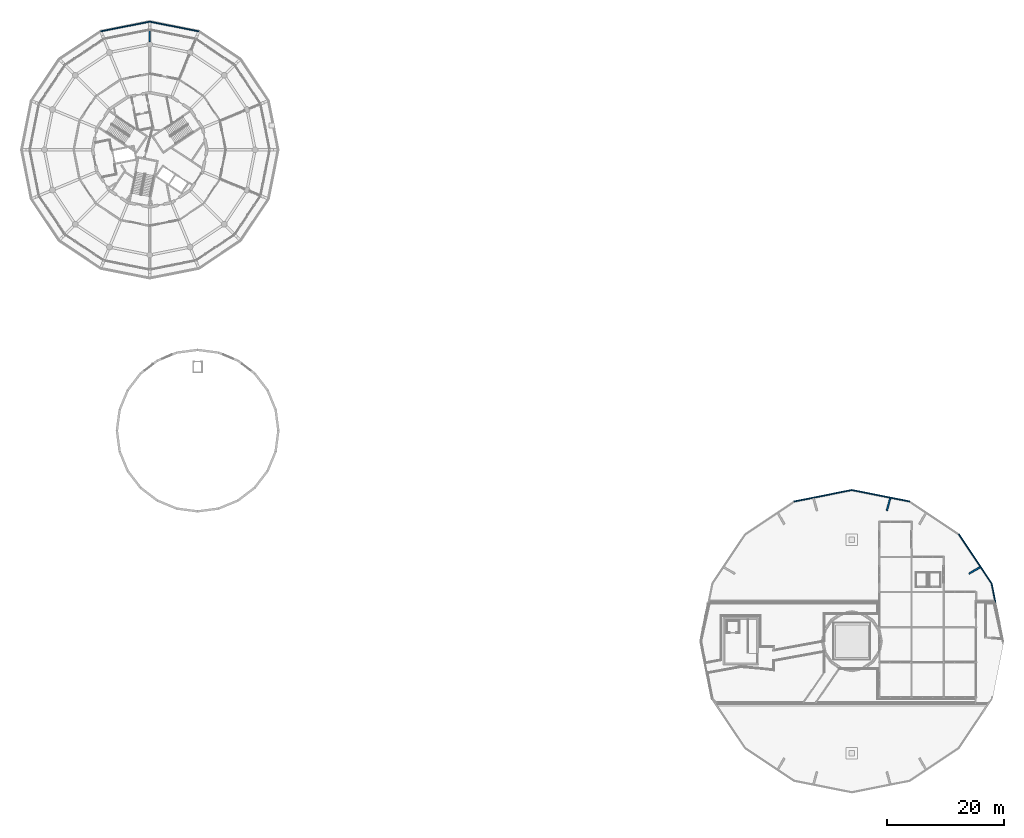
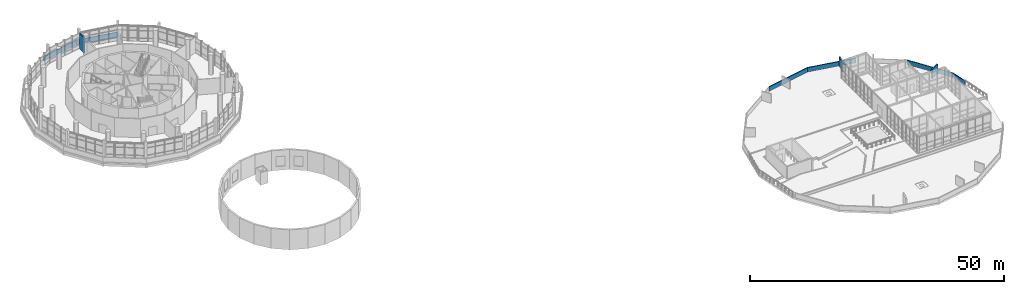
# One storey, part 31 of 40: 9 walls.
"""IFC4 building model written with IfcOpenShell, lengths in metres."""

from ifc_helpers import new_model, si_unit, direction, frame, frame_2d, origin, place, context, subcontext, project, spatial, polyline, rectangle, outline, extrude, material, layer, layer_set, type_object, element, save


model = new_model("IFC4")

# Units and contexts
model_context = context("Model", 3, precision=1e-05, world=origin(), true_north=direction((0.0, 1.0)))
body_context = subcontext(model_context, "Body", "Model", "MODEL_VIEW")
ifc_project = project(units=[si_unit("LENGTHUNIT", "METRE"), si_unit("AREAUNIT", "SQUARE_METRE"), si_unit("VOLUMEUNIT", "CUBIC_METRE"), si_unit("PLANEANGLEUNIT", "RADIAN"), si_unit("MASSUNIT", "GRAM", prefix="KILO")], contexts=[model_context])

# Site, building, storey
site_placement = place(None, origin())
site = spatial("IfcSite", under=ifc_project, at=site_placement, CompositionType="ELEMENT")
building_placement = place(site_placement, origin())
building = spatial("IfcBuilding", under=site, at=building_placement, Name="Ceibo Conservatory and Research Tower", CompositionType="ELEMENT")
storey_placement = place(building_placement, frame((0.0, 0.0, 6.0)))
storey = spatial("IfcBuildingStorey", under=building, at=storey_placement, Name="L01", CompositionType="ELEMENT", Elevation=6.0)

# Walls
ifc_material_1 = material(Name="Masonry blockwork", Category="masonry")
ifc_layer_1 = layer(ifc_material_1, 0.199951171875)
ifc_layer_set_1 = layer_set([ifc_layer_1], Name="Masonry blockwork")
wall_type_1 = type_object("IfcWallType", Name="Compartment wall 200 EI 120", PredefinedType="SOLIDWALL", material=ifc_layer_set_1)
wall_1_placement = place(storey_placement, frame((48.0, 140.4384765625, 0.0), z_axis=(0.0, 0.0, 1.0), x_axis=(0.0, -1.0, 0.0)))
element("IfcWall", 1, at=wall_1_placement, inside=storey, type_object=wall_type_1, Name="Partition 01.020", PredefinedType="SOLIDWALL", context=body_context, shape_type="SweptSolid", body=[
    extrude(rectangle(XDim=1.948486328125, YDim=0.199951171875, at=frame_2d((0.97412109375, 0.0))), origin(), (0.0, 0.0, 1.0), 3.699951171875),
])
ifc_material_2 = material(Name="Ceramic mosaic tessera")
ifc_layer_2 = layer(ifc_material_2, 0.010009765625, Name="Ceramic mosaic")
ifc_material_3 = material(Name="Concrete C30/37", Category="concrete")
ifc_layer_3 = layer(ifc_material_3, 0.18994140625, Name="Reinforced concrete leaf")
ifc_layer_set_2 = layer_set([ifc_layer_2, ifc_layer_3], Name="Concrete C30/37")
wall_type_2 = type_object("IfcWallType", Name="Parapet wall 200", PredefinedType="PARAPET", material=ifc_layer_set_2)
for number, where, z_axis, x_axis, name in (
    (2, (56.380126953125, 140.231201171875, 0.0), (0.0, 0.0, 1.0), (-0.980788926992, 0.19507198848, 0.0), "Parapet L01 4"),
    (3, (48.0, 141.89794921875, 0.0), (0.0, 0.0, 1.0), (-0.980788926992, -0.19507198848, 0.0), "Parapet L01 5"),
):
    element("IfcWall", number, at=place(storey_placement, frame(where, z_axis=z_axis, x_axis=x_axis)), inside=storey, type_object=wall_type_2, Name=name, PredefinedType="PARAPET", context=body_context, shape_type="SweptSolid", body=[
        extrude(outline(polyline([(-0.019775390625, -0.10009765625), (8.56396484375, -0.10009765625), (8.5244140625, 0.10009765625), (0.019775390625, 0.10009765625), (-0.019775390625, -0.10009765625)])), origin(), (0.0, 0.0, 1.0), 1.10009765625),
    ])
ifc_material_4 = material(Name="Concrete C35/45", Category="concrete")
ifc_layer_4 = layer(ifc_material_4, 0.25)
ifc_layer_set_3 = layer_set([ifc_layer_4], Name="Concrete C35/45")
wall_type_3 = type_object("IfcWallType", Name="Rim crown fin 250", PredefinedType="SOLIDWALL", material=ifc_layer_set_3)
for number, where, z_axis, x_axis, name in (
    (4, (189.914306640625, 48.65234375, -0.050048828125), (0.0, 0.0, 1.0), (-0.86598042715, -0.500077893725, 0.0), "Rim crown fin VC-CF01"),
    (5, (174.54931640625, 60.4423828125, -0.050048828125), (0.0, 0.0, 1.0), (-0.258795254151, -0.965932200741, 0.0), "Rim crown fin VC-CF03"),
):
    element("IfcWall", number, at=place(storey_placement, frame(where, z_axis=z_axis, x_axis=x_axis)), inside=storey, type_object=wall_type_3, Name=name, PredefinedType="SOLIDWALL", context=body_context, shape_type="SweptSolid", body=[
        extrude(outline(polyline([(0.00830078125, -0.125), (2.199951171875, -0.125), (2.199951171875, 0.125), (-0.00830078125, 0.125), (0.00830078125, -0.125)])), origin(), (0.0, 0.0, 1.0), 2.300048828125),
    ])
ifc_layer_5 = layer(ifc_material_4, 0.199951171875)
ifc_layer_set_4 = layer_set([ifc_layer_5], Name="Concrete C35/45")
wall_type_4 = type_object("IfcWallType", Name="Roof parapet 200", PredefinedType="PARAPET", material=ifc_layer_set_4)
wall_2_placement = place(storey_placement, frame((192.583984375, 42.35009765625, -0.050048828125), z_axis=(0.0, 0.0, 1.0), x_axis=(-0.195075759432, 0.980788176969, 0.0)))
element("IfcWall", 6, at=wall_2_placement, inside=storey, type_object=wall_type_4, Name="Pavilion parapet 1", PredefinedType="PARAPET", context=body_context, shape_type="SweptSolid", body=[
    extrude(outline(polyline([(0.0, -0.10009765625), (3.63037109375, -0.10009765625), (3.5908203125, 0.10009765625), (0.0, 0.10009765625), (0.0, -0.10009765625)])), origin(), (0.0, 0.0, 1.0), 1.10009765625),
])
wall_3_placement = place(storey_placement, frame((191.879638671875, 45.891357421875, -0.050048828125), z_axis=(0.0, 0.0, 1.0), x_axis=(-0.555582559255, 0.831461376043, 0.0)))
element("IfcWall", 7, at=wall_3_placement, inside=storey, type_object=wall_type_4, Name="Pavilion parapet 2", PredefinedType="PARAPET", context=body_context, shape_type="SweptSolid", body=[
    extrude(outline(polyline([(-0.019775390625, -0.10009765625), (10.104736328125, -0.10009765625), (10.065185546875, 0.10009765625), (0.019775390625, 0.10009765625), (-0.019775390625, -0.10009765625)])), origin(), (0.0, 0.0, 1.0), 1.10009765625),
])
for number, where, z_axis, x_axis, name in (
    (8, (177.891357421875, 59.879638671875, -0.050048828125), (0.0, 0.0, 1.0), (-0.980784977305, 0.195091845788, 0.0), "Pavilion parapet 4"),
    (9, (168.0, 61.84716796875, -0.050048828125), (0.0, 0.0, 1.0), (-0.980784977305, -0.195091845788, 0.0), "Pavilion parapet 5"),
):
    element("IfcWall", number, at=place(storey_placement, frame(where, z_axis=z_axis, x_axis=x_axis)), inside=storey, type_object=wall_type_4, Name=name, PredefinedType="PARAPET", context=body_context, shape_type="SweptSolid", body=[
        extrude(outline(polyline([(-0.019775390625, -0.10009765625), (10.10498046875, -0.10009765625), (10.0654296875, 0.10009765625), (0.019775390625, 0.10009765625), (-0.019775390625, -0.10009765625)])), origin(), (0.0, 0.0, 1.0), 1.10009765625),
    ])

save(model, "model.ifc")
